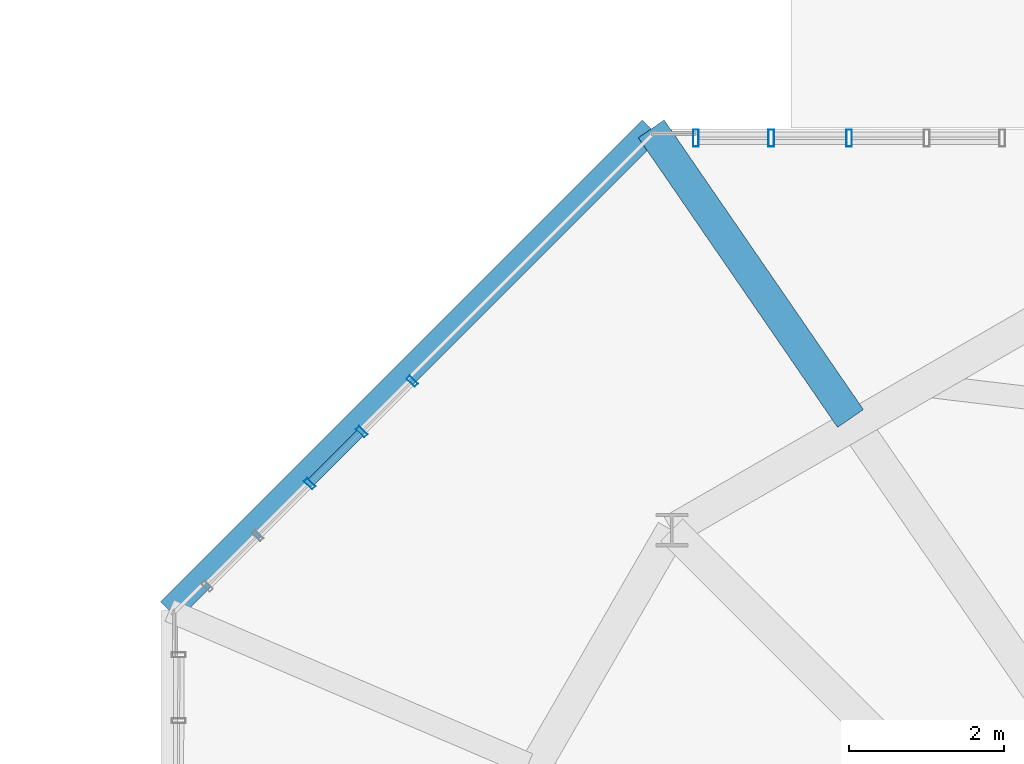
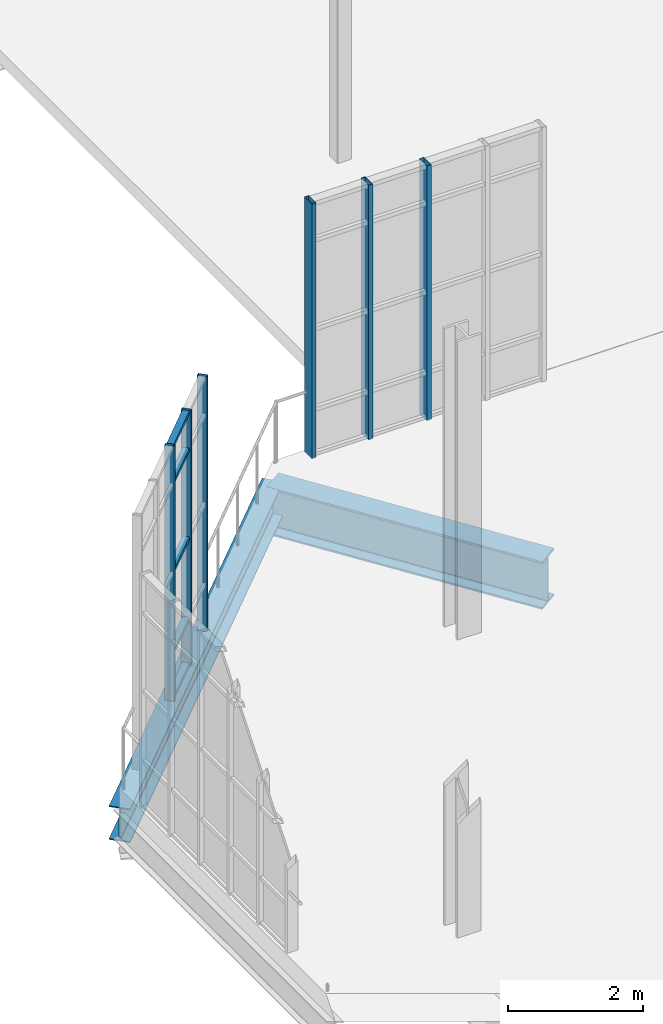
# One storey, part 60 of 189: 11 members, 2 beams, 2 elements without a shape of their own.
"""IFC4 building model written with IfcOpenShell, lengths in metres."""

from ifc_helpers import new_model, si_unit, direction, frame, origin, origin_2d, place, context, subcontext, project, spatial, hollow_rectangle, i_section, extrude, material, layer, layer_set, material_profile, profile_set, type_object, element, aggregate, save


model = new_model("IFC4")

# Units and contexts
model_context = context("Model", 3, precision=1e-05, world=origin(), true_north=direction((0.0, 1.0)))
body_context = subcontext(model_context, "Body", "Model", "MODEL_VIEW")
ifc_project = project(units=[si_unit("LENGTHUNIT", "METRE"), si_unit("AREAUNIT", "SQUARE_METRE"), si_unit("VOLUMEUNIT", "CUBIC_METRE"), si_unit("PLANEANGLEUNIT", "RADIAN"), si_unit("MASSUNIT", "GRAM", prefix="KILO"), si_unit("THERMODYNAMICTEMPERATUREUNIT", "KELVIN"), si_unit("POWERUNIT", "WATT")], contexts=[model_context])

# Site, building, storey
site_placement = place(None, origin())
site = spatial("IfcSite", under=ifc_project, at=site_placement, CompositionType="ELEMENT")
building_placement = place(site_placement, origin())
building = spatial("IfcBuilding", under=site, at=building_placement, Name="Zelmaris Science Centre", CompositionType="ELEMENT")
storey_placement = place(building_placement, origin())
storey = spatial("IfcBuildingStorey", under=building, at=storey_placement, Name="L00", CompositionType="ELEMENT", Elevation=0.0)

# Curtain wall, members
ifc_material_1 = material(Name="Anodised architectural aluminium 6063-T6", Category="aluminium")
ifc_layer_1 = layer(ifc_material_1, 0.219970703125, Name="Anodised architectural aluminium 6063-T6")
ifc_layer_set_1 = layer_set([ifc_layer_1], Name="Anodised architectural aluminium 6063-T6")
curtain_wall_type_1 = type_object("IfcCurtainWallType", Name="Curtain Wall CW-04", PredefinedType="USERDEFINED", material=ifc_layer_set_1)
curtain_wall_1_placement = place(storey_placement, origin())
curtain_wall_1 = element("IfcCurtainWall", 1, at=curtain_wall_1_placement, inside=storey, type_object=curtain_wall_type_1, Name="L00 Unitised curtain wall 52", ObjectType="GLAZED CURTAIN WALL", PredefinedType="USERDEFINED")
ifc_material_profile_1 = material_profile(ifc_material_1, hollow_rectangle(XDim=0.06005859375, YDim=0.14990234375, WallThickness=0.00341796875, at=origin_2d()), Name="ALU-MUL-60X150")
ifc_profile_set_1 = profile_set([ifc_material_profile_1], Name="Anodised architectural aluminium 6063-T6")
member_type_1 = type_object("IfcMemberType", Name="ALU-MUL-60X150", PredefinedType="MULLION", material=ifc_profile_set_1)
member_1_placement = place(storey_placement, frame((65.804931640625, 47.134765625, -0.014892578125), z_axis=(0.0, 0.0, 1.0), x_axis=(0.707184527363, 0.707029026461, 0.0)))
member_1 = element("IfcMember", 2, at=member_1_placement, type_object=member_type_1, Name="CW-04 mullion 3", PredefinedType="MULLION", context=body_context, shape_type="SweptSolid", body=[
    extrude(hollow_rectangle(XDim=0.06005859375, YDim=0.14990234375, WallThickness=0.00341796875, at=origin_2d()), origin(), (0.0, 0.0, 1.0), 4.614990234375),
])
member_2_placement = place(storey_placement, frame((66.47412109375, 47.8037109375, -0.014892578125), z_axis=(0.0, 0.0, 1.0), x_axis=(0.707184527363, 0.707029026461, 0.0)))
member_2 = element("IfcMember", 3, at=member_2_placement, type_object=member_type_1, Name="CW-04 mullion 4", PredefinedType="MULLION", context=body_context, shape_type="SweptSolid", body=[
    extrude(hollow_rectangle(XDim=0.06005859375, YDim=0.14990234375, WallThickness=0.00341796875, at=origin_2d()), origin(), (0.0, 0.0, 1.0), 4.614990234375),
])
member_3_placement = place(storey_placement, frame((67.124755859375, 48.454345703125, -0.014892578125), z_axis=(0.0, 0.0, 1.0), x_axis=(0.707184527363, 0.707029026461, 0.0)))
member_3 = element("IfcMember", 4, at=member_3_placement, type_object=member_type_1, Name="CW-04 mullion 5", PredefinedType="MULLION", context=body_context, shape_type="SweptSolid", body=[
    extrude(hollow_rectangle(XDim=0.06005859375, YDim=0.14990234375, WallThickness=0.00341796875, at=origin_2d()), origin(), (0.0, 0.0, 1.0), 4.614990234375),
])

ifc_layer_2 = layer(ifc_material_1, 0.199951171875, Name="Anodised architectural aluminium 6063-T6")
ifc_layer_set_2 = layer_set([ifc_layer_2], Name="Anodised architectural aluminium 6063-T6")
curtain_wall_type_2 = type_object("IfcCurtainWallType", Name="Curtain Wall CW-02", PredefinedType="USERDEFINED", material=ifc_layer_set_2)
curtain_wall_2_placement = place(storey_placement, origin())
curtain_wall_2 = element("IfcCurtainWall", 5, at=curtain_wall_2_placement, inside=storey, type_object=curtain_wall_type_2, Name="L00 Unitised curtain wall 54", ObjectType="GLAZED CURTAIN WALL", PredefinedType="USERDEFINED")
ifc_material_profile_2 = material_profile(ifc_material_1, hollow_rectangle(XDim=0.074951171875, YDim=0.219970703125, WallThickness=0.0048828125, at=origin_2d()), Name="ALU-MUL-75X220")
ifc_profile_set_2 = profile_set([ifc_material_profile_2], Name="Anodised architectural aluminium 6063-T6")
member_type_2 = type_object("IfcMemberType", Name="ALU-MUL-75X220", PredefinedType="MULLION", material=ifc_profile_set_2)
member_4_placement = place(storey_placement, frame((70.77490234375, 51.580078125, -0.014892578125), z_axis=(0.0, 0.0, 1.0), x_axis=(0.999999999994, -3.490659e-06, 0.0)))
member_4 = element("IfcMember", 6, at=member_4_placement, type_object=member_type_2, Name="CW-02 mullion 1", PredefinedType="MULLION", context=body_context, shape_type="SweptSolid", body=[
    extrude(hollow_rectangle(XDim=0.074951171875, YDim=0.219970703125, WallThickness=0.0048828125, at=origin_2d()), origin(), (0.0, 0.0, 1.0), 4.614990234375),
])
member_5_placement = place(storey_placement, frame((71.743408203125, 51.580078125, -0.014892578125), z_axis=(0.0, 0.0, 1.0), x_axis=(0.999999999994, -3.490659e-06, 0.0)))
member_5 = element("IfcMember", 7, at=member_5_placement, type_object=member_type_2, Name="CW-02 mullion 2", PredefinedType="MULLION", context=body_context, shape_type="SweptSolid", body=[
    extrude(hollow_rectangle(XDim=0.074951171875, YDim=0.219970703125, WallThickness=0.0048828125, at=origin_2d()), origin(), (0.0, 0.0, 1.0), 4.614990234375),
])
member_6_placement = place(storey_placement, frame((72.745361328125, 51.580078125, -0.014892578125), z_axis=(0.0, 0.0, 1.0), x_axis=(0.999999999994, -3.490659e-06, 0.0)))
member_6 = element("IfcMember", 8, at=member_6_placement, type_object=member_type_2, Name="CW-02 mullion 3", PredefinedType="MULLION", context=body_context, shape_type="SweptSolid", body=[
    extrude(hollow_rectangle(XDim=0.074951171875, YDim=0.219970703125, WallThickness=0.0048828125, at=origin_2d()), origin(), (0.0, 0.0, 1.0), 4.614990234375),
])
aggregate(curtain_wall_2, [member_4, member_5, member_6])

# Member
ifc_material_profile_3 = material_profile(ifc_material_1, hollow_rectangle(XDim=0.06005859375, YDim=0.110107421875, WallThickness=0.0029296875, at=origin_2d()), Name="ALU-TRN-60X110")
ifc_profile_set_3 = profile_set([ifc_material_profile_3], Name="Anodised architectural aluminium 6063-T6")
member_type_3 = type_object("IfcMemberType", Name="ALU-TRN-60X110", PredefinedType="USERDEFINED", material=ifc_profile_set_3)
member_7_placement = place(storey_placement, frame((65.8232421875, 47.153076171875, 0.010986328125), z_axis=(0.707106781187, 0.707106781187, 0.0), x_axis=(0.0, 0.0, 1.0)))
member_7 = element("IfcMember", 9, at=member_7_placement, type_object=member_type_3, Name="CW-04 transom 3.1", ObjectType="TRANSOM", PredefinedType="USERDEFINED", context=body_context, shape_type="SweptSolid", body=[
    extrude(hollow_rectangle(XDim=0.06005859375, YDim=0.110107421875, WallThickness=0.0029296875, at=origin_2d()), origin(), (0.0, 0.0, 1.0), 0.894287109375),
])

member_8_placement = place(storey_placement, frame((65.8232421875, 47.153076171875, 0.8349609375), z_axis=(0.707106781187, 0.707106781187, 0.0), x_axis=(0.0, 0.0, 1.0)))
member_8 = element("IfcMember", 10, at=member_8_placement, type_object=member_type_3, Name="CW-04 transom 3.2", ObjectType="TRANSOM", PredefinedType="USERDEFINED", context=body_context, shape_type="SweptSolid", body=[
    extrude(hollow_rectangle(XDim=0.06005859375, YDim=0.110107421875, WallThickness=0.0029296875, at=origin_2d()), origin(), (0.0, 0.0, 1.0), 0.894287109375),
])

member_9_placement = place(storey_placement, frame((65.8232421875, 47.153076171875, 2.29248046875), z_axis=(0.707106781187, 0.707106781187, 0.0), x_axis=(0.0, 0.0, 1.0)))
member_9 = element("IfcMember", 11, at=member_9_placement, type_object=member_type_3, Name="CW-04 transom 3.3", ObjectType="TRANSOM", PredefinedType="USERDEFINED", context=body_context, shape_type="SweptSolid", body=[
    extrude(hollow_rectangle(XDim=0.06005859375, YDim=0.110107421875, WallThickness=0.0029296875, at=origin_2d()), origin(), (0.0, 0.0, 1.0), 0.894287109375),
])

member_10_placement = place(storey_placement, frame((65.8232421875, 47.153076171875, 3.89990234375), z_axis=(0.707106781187, 0.707106781187, 0.0), x_axis=(0.0, 0.0, 1.0)))
member_10 = element("IfcMember", 12, at=member_10_placement, type_object=member_type_3, Name="CW-04 transom 3.4", ObjectType="TRANSOM", PredefinedType="USERDEFINED", context=body_context, shape_type="SweptSolid", body=[
    extrude(hollow_rectangle(XDim=0.06005859375, YDim=0.110107421875, WallThickness=0.0029296875, at=origin_2d()), origin(), (0.0, 0.0, 1.0), 0.894287109375),
])

member_11_placement = place(storey_placement, frame((65.8232421875, 47.153076171875, 4.573974609375), z_axis=(0.707106781187, 0.707106781187, 0.0), x_axis=(0.0, 0.0, 1.0)))
member_11 = element("IfcMember", 13, at=member_11_placement, type_object=member_type_3, Name="CW-04 transom 3.5", ObjectType="TRANSOM", PredefinedType="USERDEFINED", context=body_context, shape_type="SweptSolid", body=[
    extrude(hollow_rectangle(XDim=0.06005859375, YDim=0.110107421875, WallThickness=0.0029296875, at=origin_2d()), origin(), (0.0, 0.0, 1.0), 0.894287109375),
])

aggregate(curtain_wall_1, [member_1, member_2, member_3, member_7, member_8, member_9, member_10, member_11])

# Beams
ifc_material_2 = material(Name="Steel ASTM A992 Grade 50", Category="steel")
ifc_material_profile_4 = material_profile(ifc_material_2, i_section(OverallWidth=0.404052734375, OverallDepth=0.861083984375, WebThickness=0.019775390625, FlangeThickness=0.032470703125, FilletRadius=0.02001953125, at=origin_2d()), Name="W33X221")
ifc_profile_set_4 = profile_set([ifc_material_profile_4], Name="Steel ASTM A992 Grade 50")
beam_type_1 = type_object("IfcBeamType", Name="Beam G-28 W33X221", PredefinedType="BEAM", material=ifc_profile_set_4)
beam_1_placement = place(storey_placement, frame((72.763916015625, 47.972900390625, -0.7705078125), z_axis=(-0.566771582571, 0.823874974246, 0.0), x_axis=(-0.823874974246, -0.566771582571, 0.0)))
element("IfcBeam", 14, at=beam_1_placement, inside=storey, type_object=beam_type_1, Name="L00 Radial overhang girder 9", PredefinedType="BEAM", context=body_context, shape_type="SweptSolid", body=[
    extrude(i_section(OverallWidth=0.404052734375, OverallDepth=0.861083984375, WebThickness=0.019775390625, FlangeThickness=0.032470703125, FilletRadius=0.02001953125, at=origin_2d()), origin(), (0.0, 0.0, 1.0), 4.52392578125),
])
ifc_material_profile_5 = material_profile(ifc_material_2, i_section(OverallWidth=0.324951171875, OverallDepth=0.612060546875, WebThickness=0.0126953125, FlangeThickness=0.01904296875, FilletRadius=0.014892578125, at=origin_2d()), Name="W24X104")
ifc_profile_set_5 = profile_set([ifc_material_profile_5], Name="Steel ASTM A992 Grade 50")
beam_type_2 = type_object("IfcBeamType", Name="Beam SP-01 W24X104", PredefinedType="SPANDREL", material=ifc_profile_set_5)
beam_2_placement = place(storey_placement, frame((70.199951171875, 51.699951171875, -0.64599609375), z_axis=(-0.707106781187, -0.707106781187, 0.0), x_axis=(0.707106781187, -0.707106781187, 0.0)))
element("IfcBeam", 15, at=beam_2_placement, inside=storey, type_object=beam_type_2, Name="L00 Rotated facade spandrel beam 3", PredefinedType="SPANDREL", context=body_context, shape_type="SweptSolid", body=[
    extrude(i_section(OverallWidth=0.324951171875, OverallDepth=0.612060546875, WebThickness=0.0126953125, FlangeThickness=0.01904296875, FilletRadius=0.014892578125, at=origin_2d()), origin(), (0.0, 0.0, 1.0), 8.76806640625),
])

save(model, "model.ifc")
